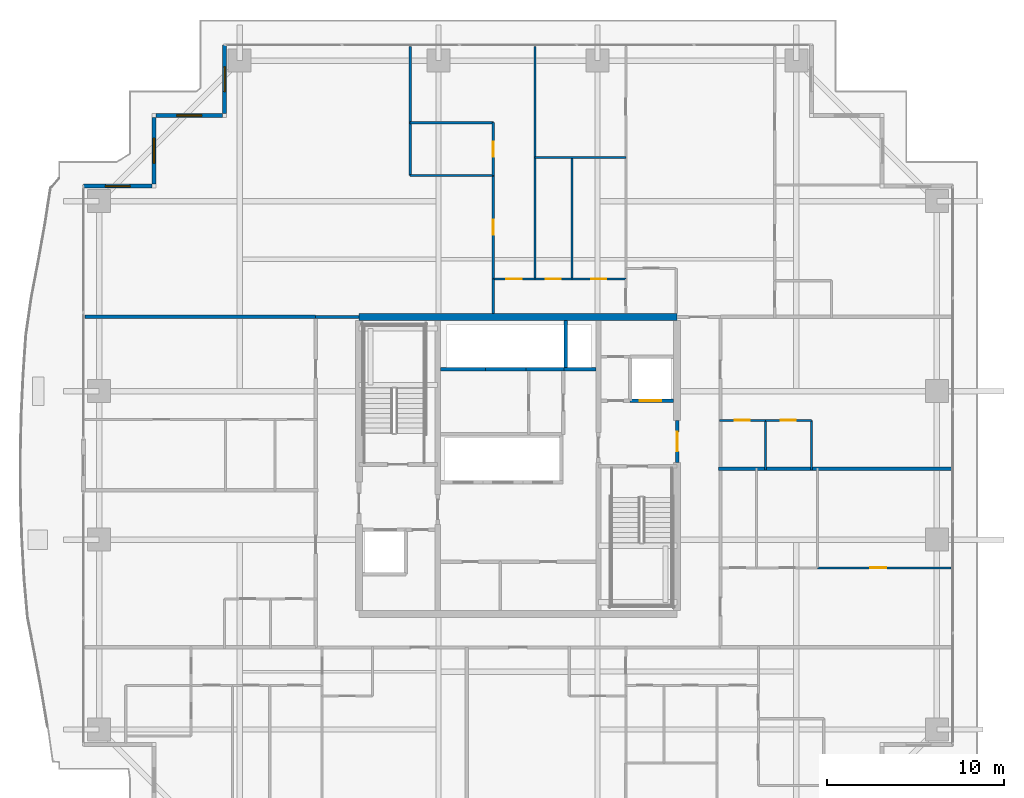
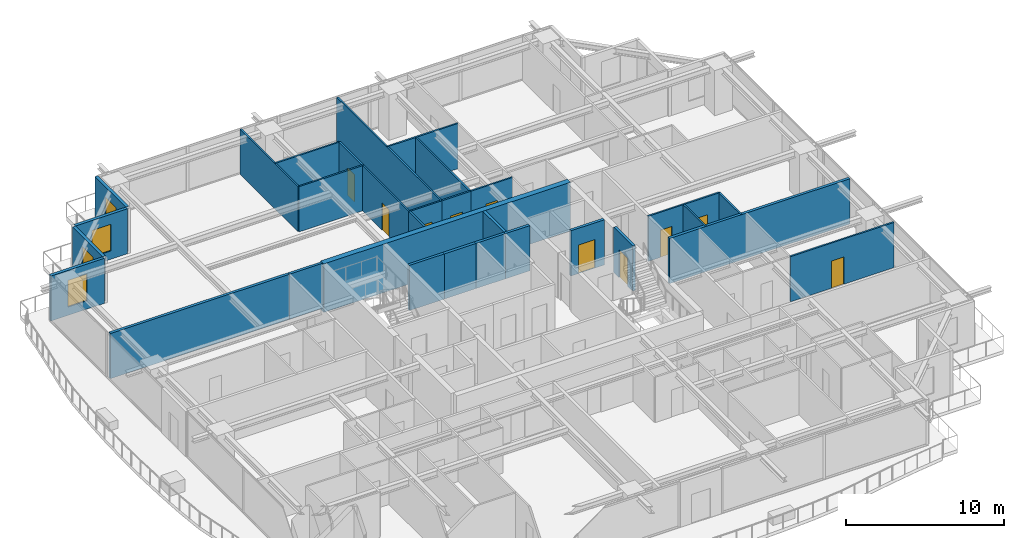
# One storey, part 27 of 34: 32 walls, 10 doors, 4 windows, 14 openings.
"""IFC4 building model written with IfcOpenShell, lengths in metres."""

from ifc_helpers import new_model, si_unit, direction, frame, frame_2d, origin, place, context, subcontext, project, spatial, rectangle, extrude, source, transform, mapped, material, layer, layer_set, type_object, element, fill, save


model = new_model("IFC4")

# Units and contexts
model_context = context("Model", 3, precision=1e-05, world=origin(), true_north=direction((0.0, 1.0)))
body_context = subcontext(model_context, "Body", "Model", "MODEL_VIEW")
ifc_project = project(units=[si_unit("LENGTHUNIT", "METRE"), si_unit("AREAUNIT", "SQUARE_METRE"), si_unit("VOLUMEUNIT", "CUBIC_METRE"), si_unit("PLANEANGLEUNIT", "RADIAN"), si_unit("MASSUNIT", "GRAM", prefix="KILO")], contexts=[model_context])

# Site, building, storey
site_placement = place(None, origin())
site = spatial("IfcSite", under=ifc_project, at=site_placement, CompositionType="ELEMENT")
building_placement = place(site_placement, origin())
building = spatial("IfcBuilding", under=site, at=building_placement, Name="Serunith Strait Residences", CompositionType="ELEMENT")
storey_placement = place(building_placement, frame((0.0, 0.0, 142.64990234375)))
storey = spatial("IfcBuildingStorey", under=building, at=storey_placement, Name="L35", CompositionType="ELEMENT", Elevation=142.64990234375)

# Wall, opening, window
ifc_material_1 = material(Name="Pale-Champagne Aluminium Insulated Panel", Category="aluminium")
ifc_layer_1 = layer(ifc_material_1, 0.219970703125, Name="Pale-Champagne Aluminium Insulated Panel")
ifc_layer_set_1 = layer_set([ifc_layer_1], Name="Pale-Champagne Aluminium Insulated Panel")
wall_type_1 = type_object("IfcWallType", Name="EW-ALUM-220", PredefinedType="ELEMENTEDWALL", material=ifc_layer_set_1)
wall_1_placement = place(storey_placement, frame((15.800048828125, 49.0, 0.0), z_axis=(0.0, 0.0, 1.0), x_axis=(0.0, -1.0, 0.0)))
wall_1 = element("IfcWall", 1, at=wall_1_placement, inside=storey, type_object=wall_type_1, Name="L35 Girih Serrated Corner Wall 12", PredefinedType="ELEMENTEDWALL", context=body_context, shape_type="SweptSolid", body=[
    extrude(rectangle(XDim=3.889892578125, YDim=0.219970703125, at=frame_2d((1.94482421875, 0.0))), origin(), (0.0, 0.0, 1.0), 3.47509765625),
])
opening_1_placement = place(wall_1_placement, frame((1.2451171875, 0.0, 0.64990234375)))
opening_1 = element("IfcOpeningElement", 2, at=opening_1_placement, cuts=wall_1, Name="Opening W-03", PredefinedType="OPENING", context=body_context, shape_type="SweptSolid", body=[
    extrude(rectangle(XDim=1.39990234375, YDim=2.050048828125, at=frame_2d((0.699951171875, 1.02490234375))), frame((0.0, 0.1201171875, 0.0), z_axis=(0.0, -1.0, 0.0), x_axis=(1.0, 0.0, 0.0)), (0.0, 0.0, 1.0), 0.239990234375),
])
ifc_material_2 = material(Name="Ceramic-Fritted Operable Aluminium Window Glass", Category="aluminium")
window_type = type_object("IfcWindowType", Name="WIN-C3", PartitioningType="SINGLE_PANEL", PredefinedType="WINDOW", material=ifc_material_2)
shared_shape_1 = source(origin(), body_context, "Body", "SweptSolid", [
    extrude(rectangle(XDim=1.39990234375, YDim=2.050048828125, at=frame_2d((0.699951171875, 1.02490234375))), frame((0.0, 0.030029296875, 0.0), z_axis=(0.0, -1.0, 0.0), x_axis=(1.0, 0.0, 0.0)), (0.0, 0.0, 1.0), 0.06005859375),
])
window_1_placement = place(opening_1_placement, origin())
window_1 = element("IfcWindow", 3, at=window_1_placement, inside=storey, type_object=window_type, Name="L35 Corner Operable Fritted Window 12", OverallHeight=2.050048828125, OverallWidth=1.39990234375, PartitioningType="SINGLE_PANEL", PredefinedType="WINDOW", context=body_context, shape_type="MappedRepresentation", body=[
    mapped(shared_shape_1, transform((0.0, 0.0, 0.0), scale=1.0)),
])
fill(opening_1, window_1)

wall_2_placement = place(storey_placement, frame((15.68994140625, 45.0, 0.0), z_axis=(0.0, 0.0, 1.0), x_axis=(-1.0, 0.0, 0.0)))
wall_2 = element("IfcWall", 4, at=wall_2_placement, inside=storey, type_object=wall_type_1, Name="L35 Girih Serrated Corner Wall 13", PredefinedType="ELEMENTEDWALL", context=body_context, shape_type="SweptSolid", body=[
    extrude(rectangle(XDim=3.780029296875, YDim=0.219970703125, at=frame_2d((1.89013671875, 0.0))), origin(), (0.0, 0.0, 1.0), 3.47509765625),
])
opening_2_placement = place(wall_2_placement, frame((1.18994140625, 0.0, 0.64990234375)))
opening_2 = element("IfcOpeningElement", 5, at=opening_2_placement, cuts=wall_2, Name="Opening W-03", PredefinedType="OPENING", context=body_context, shape_type="SweptSolid", body=[
    extrude(rectangle(XDim=1.39990234375, YDim=2.050048828125, at=frame_2d((0.699951171875, 1.02490234375))), frame((0.0, 0.1201171875, 0.0), z_axis=(0.0, -1.0, 0.0), x_axis=(1.0, 0.0, 0.0)), (0.0, 0.0, 1.0), 0.239990234375),
])
window_2_placement = place(opening_2_placement, origin())
window_2 = element("IfcWindow", 6, at=window_2_placement, inside=storey, type_object=window_type, Name="L35 Corner Operable Fritted Window 13", OverallHeight=2.050048828125, OverallWidth=1.39990234375, PartitioningType="SINGLE_PANEL", PredefinedType="WINDOW", context=body_context, shape_type="MappedRepresentation", body=[
    mapped(shared_shape_1, transform((0.0, 0.0, 0.0), scale=1.0)),
])
fill(opening_2, window_2)

wall_3_placement = place(storey_placement, frame((11.800048828125, 44.889892578125, 0.0), z_axis=(0.0, 0.0, 1.0), x_axis=(0.0, -1.0, 0.0)))
wall_3 = element("IfcWall", 7, at=wall_3_placement, inside=storey, type_object=wall_type_1, Name="L35 Girih Serrated Corner Wall 14", PredefinedType="ELEMENTEDWALL", context=body_context, shape_type="SweptSolid", body=[
    extrude(rectangle(XDim=3.77978515625, YDim=0.219970703125, at=frame_2d((1.889892578125, 0.0))), origin(), (0.0, 0.0, 1.0), 3.47509765625),
])
opening_3_placement = place(wall_3_placement, frame((1.18994140625, 0.0, 0.64990234375)))
opening_3 = element("IfcOpeningElement", 8, at=opening_3_placement, cuts=wall_3, Name="Opening W-03", PredefinedType="OPENING", context=body_context, shape_type="SweptSolid", body=[
    extrude(rectangle(XDim=1.39990234375, YDim=2.050048828125, at=frame_2d((0.699951171875, 1.02490234375))), frame((0.0, 0.1201171875, 0.0), z_axis=(0.0, -1.0, 0.0), x_axis=(1.0, 0.0, 0.0)), (0.0, 0.0, 1.0), 0.239990234375),
])
window_3_placement = place(opening_3_placement, origin())
window_3 = element("IfcWindow", 9, at=window_3_placement, inside=storey, type_object=window_type, Name="L35 Corner Operable Fritted Window 14", OverallHeight=2.050048828125, OverallWidth=1.39990234375, PartitioningType="SINGLE_PANEL", PredefinedType="WINDOW", context=body_context, shape_type="MappedRepresentation", body=[
    mapped(shared_shape_1, transform((0.0, 0.0, 0.0), scale=1.0)),
])
fill(opening_3, window_3)

wall_4_placement = place(storey_placement, frame((11.68994140625, 41.0, 0.0), z_axis=(0.0, 0.0, 1.0), x_axis=(-1.0, 0.0, 0.0)))
wall_4 = element("IfcWall", 10, at=wall_4_placement, inside=storey, type_object=wall_type_1, Name="L35 Girih Serrated Corner Wall 15", PredefinedType="ELEMENTEDWALL", context=body_context, shape_type="SweptSolid", body=[
    extrude(rectangle(XDim=3.889892578125, YDim=0.219970703125, at=frame_2d((1.94482421875, 0.0))), origin(), (0.0, 0.0, 1.0), 3.47509765625),
])
opening_4_placement = place(wall_4_placement, frame((1.2451171875, 0.0, 0.64990234375)))
opening_4 = element("IfcOpeningElement", 11, at=opening_4_placement, cuts=wall_4, Name="Opening W-03", PredefinedType="OPENING", context=body_context, shape_type="SweptSolid", body=[
    extrude(rectangle(XDim=1.39990234375, YDim=2.050048828125, at=frame_2d((0.699951171875, 1.02490234375))), frame((0.0, 0.1201171875, 0.0), z_axis=(0.0, -1.0, 0.0), x_axis=(1.0, 0.0, 0.0)), (0.0, 0.0, 1.0), 0.239990234375),
])
window_4_placement = place(opening_4_placement, origin())
window_4 = element("IfcWindow", 12, at=window_4_placement, inside=storey, type_object=window_type, Name="L35 Corner Operable Fritted Window 15", OverallHeight=2.050048828125, OverallWidth=1.39990234375, PartitioningType="SINGLE_PANEL", PredefinedType="WINDOW", context=body_context, shape_type="MappedRepresentation", body=[
    mapped(shared_shape_1, transform((0.0, 0.0, 0.0), scale=1.0)),
])
fill(opening_4, window_4)

# Walls
ifc_material_3 = material(Name="Fire-rated acoustic gypsum partition")
ifc_layer_2 = layer(ifc_material_3, 0.179931640625, Name="Fire-rated acoustic gypsum partition")
ifc_layer_set_2 = layer_set([ifc_layer_2], Name="Fire-rated acoustic gypsum partition")
wall_type_2 = type_object("IfcWallType", Name="IW-CORR-180", PredefinedType="PARTITIONING", material=ifc_layer_set_2)
wall_5_placement = place(storey_placement, frame((20.951904296875, 33.60009765625, 0.0), z_axis=(0.0, 0.0, 1.0), x_axis=(1.0, 0.0, 0.0)))
element("IfcWall", 13, at=wall_5_placement, inside=storey, type_object=wall_type_2, Name="L35 Partition Wall 028", PredefinedType="PARTITIONING", context=body_context, shape_type="SweptSolid", body=[
    extrude(rectangle(XDim=2.446044921875, YDim=0.179931640625, at=frame_2d((1.22314453125, 0.0))), origin(), (0.0, 0.0, 1.0), 3.489990234375),
])
ifc_material_4 = material(Name="Lightweight steel-stud gypsum partition", Category="steel")
ifc_layer_3 = layer(ifc_material_4, 0.1201171875, Name="Lightweight steel-stud gypsum partition")
ifc_layer_set_3 = layer_set([ifc_layer_3], Name="Lightweight steel-stud gypsum partition")
wall_type_3 = type_object("IfcWallType", Name="IW-PART-120", PredefinedType="PARTITIONING", material=ifc_layer_set_3)
wall_6_placement = place(storey_placement, frame((33.35009765625, 42.631103515625, 0.0), z_axis=(0.0, 0.0, 1.0), x_axis=(1.0, 0.0, 0.0)))
element("IfcWall", 14, at=wall_6_placement, inside=storey, type_object=wall_type_3, Name="L35 Partition Wall 068", PredefinedType="PARTITIONING", context=body_context, shape_type="SweptSolid", body=[
    extrude(rectangle(XDim=5.14990234375, YDim=0.1201171875, at=frame_2d((2.574951171875, 0.0))), origin(), (0.0, 0.0, 1.0), 3.489990234375),
])
wall_7_placement = place(storey_placement, frame((33.35009765625, 48.905029296875, 0.0), z_axis=(0.0, 0.0, 1.0), x_axis=(0.0, -1.0, 0.0)))
element("IfcWall", 15, at=wall_7_placement, inside=storey, type_object=wall_type_3, Name="L35 Partition Wall 069", PredefinedType="PARTITIONING", context=body_context, shape_type="SweptSolid", body=[
    extrude(rectangle(XDim=13.155029296875, YDim=0.1201171875, at=frame_2d((6.57763671875, 0.0))), origin(), (0.0, 0.0, 1.0), 3.489990234375),
])
wall_8_placement = place(storey_placement, frame((35.449951171875, 42.631103515625, 0.0), z_axis=(0.0, 0.0, 1.0), x_axis=(0.0, -1.0, 0.0)))
element("IfcWall", 16, at=wall_8_placement, inside=storey, type_object=wall_type_3, Name="L35 Partition Wall 070", PredefinedType="PARTITIONING", context=body_context, shape_type="SweptSolid", body=[
    extrude(rectangle(XDim=6.881103515625, YDim=0.1201171875, at=frame_2d((3.4404296875, 0.0))), origin(), (0.0, 0.0, 1.0), 3.489990234375),
])

# Wall, opening, door
wall_9_placement = place(storey_placement, frame((33.35009765625, 35.75, 0.0), z_axis=(0.0, 0.0, 1.0), x_axis=(1.0, 0.0, 0.0)))
wall_9 = element("IfcWall", 17, at=wall_9_placement, inside=storey, type_object=wall_type_3, Name="L35 Partition Wall 071", PredefinedType="PARTITIONING", context=body_context, shape_type="SweptSolid", body=[
    extrude(rectangle(XDim=2.099853515625, YDim=0.1201171875, at=frame_2d((1.0498046875, 0.0))), origin(), (0.0, 0.0, 1.0), 3.489990234375),
])
opening_5_placement = place(wall_9_placement, frame((0.625, 0.0, 0.0)))
opening_5 = element("IfcOpeningElement", 18, at=opening_5_placement, cuts=wall_9, Name="Opening D-BTH850", PredefinedType="OPENING", context=body_context, shape_type="SweptSolid", body=[
    extrude(rectangle(XDim=0.85009765625, YDim=2.10009765625, at=frame_2d((0.425048828125, 1.050048828125))), frame((0.0, 0.070068359375, 0.0), z_axis=(0.0, -1.0, 0.0), x_axis=(1.0, 0.0, 0.0)), (0.0, 0.0, 1.0), 0.14013671875),
])
ifc_material_5 = material(Name="Moisture-resistant timber bathroom door", Category="wood")
door_type_1 = type_object("IfcDoorType", Name="ID-BATH-850", OperationType="NOTDEFINED", PredefinedType="DOOR", material=ifc_material_5)
shared_shape_2 = source(origin(), body_context, "Body", "SweptSolid", [
    extrude(rectangle(XDim=0.85009765625, YDim=2.10009765625, at=frame_2d((0.425048828125, 1.050048828125))), frame((0.0, 0.02490234375, 0.0), z_axis=(0.0, -1.0, 0.0), x_axis=(1.0, 0.0, 0.0)), (0.0, 0.0, 1.0), 0.050048828125),
])
door_1_placement = place(opening_5_placement, origin())
door_1 = element("IfcDoor", 19, at=door_1_placement, inside=storey, type_object=door_type_1, Name="L35 Bathroom 3503 Door", OperationType="SINGLE_SWING_RIGHT", OverallHeight=2.10009765625, OverallWidth=0.85009765625, PredefinedType="DOOR", context=body_context, shape_type="MappedRepresentation", body=[
    mapped(shared_shape_2, transform((0.0, 0.0, 0.0), scale=1.0)),
])
fill(opening_5, door_1)

wall_10_placement = place(storey_placement, frame((35.451904296875, 35.75, 0.0), z_axis=(0.0, 0.0, 1.0), x_axis=(1.0, 0.0, 0.0)))
wall_10 = element("IfcWall", 20, at=wall_10_placement, inside=storey, type_object=wall_type_3, Name="L35 Partition Wall 072", PredefinedType="PARTITIONING", context=body_context, shape_type="SweptSolid", body=[
    extrude(rectangle(XDim=3.048095703125, YDim=0.1201171875, at=frame_2d((1.52392578125, 0.0))), origin(), (0.0, 0.0, 1.0), 3.489990234375),
])
opening_6_placement = place(wall_10_placement, frame((1.09912109375, 0.0, 0.0)))
opening_6 = element("IfcOpeningElement", 21, at=opening_6_placement, cuts=wall_10, Name="Opening D-RM850", PredefinedType="OPENING", context=body_context, shape_type="SweptSolid", body=[
    extrude(rectangle(XDim=0.85009765625, YDim=2.10009765625, at=frame_2d((0.425048828125, 1.050048828125))), frame((0.0, 0.070068359375, 0.0), z_axis=(0.0, -1.0, 0.0), x_axis=(1.0, 0.0, 0.0)), (0.0, 0.0, 1.0), 0.14013671875),
])
ifc_material_6 = material(Name="Engineered timber flush study and kitchen door", Category="wood")
door_type_2 = type_object("IfcDoorType", Name="ID-ROOM-850", OperationType="NOTDEFINED", PredefinedType="DOOR", material=ifc_material_6)
door_2_placement = place(opening_6_placement, origin())
door_2 = element("IfcDoor", 22, at=door_2_placement, inside=storey, type_object=door_type_2, Name="L35 Formal Dining Room 3503 Door", OperationType="SINGLE_SWING_LEFT", OverallHeight=2.10009765625, OverallWidth=0.85009765625, PredefinedType="DOOR", context=body_context, shape_type="MappedRepresentation", body=[
    mapped(shared_shape_2, transform((0.0, 0.0, 0.0), scale=1.0)),
])
fill(opening_6, door_2)

wall_11_placement = place(storey_placement, frame((31.0, 35.75, 0.0), z_axis=(0.0, 0.0, 1.0), x_axis=(1.0, 0.0, 0.0)))
wall_11 = element("IfcWall", 23, at=wall_11_placement, inside=storey, type_object=wall_type_3, Name="L35 Partition Wall 073", PredefinedType="PARTITIONING", context=body_context, shape_type="SweptSolid", body=[
    extrude(rectangle(XDim=2.347900390625, YDim=0.1201171875, at=frame_2d((1.173828125, 0.0))), origin(), (0.0, 0.0, 1.0), 3.489990234375),
])
opening_7_placement = place(wall_11_placement, frame((0.72412109375, 0.0, 0.0)))
opening_7 = element("IfcOpeningElement", 24, at=opening_7_placement, cuts=wall_11, Name="Opening D-RM900", PredefinedType="OPENING", context=body_context, shape_type="SweptSolid", body=[
    extrude(rectangle(XDim=0.89990234375, YDim=2.10009765625, at=frame_2d((0.449951171875, 1.050048828125))), frame((0.0, 0.070068359375, 0.0), z_axis=(0.0, -1.0, 0.0), x_axis=(1.0, 0.0, 0.0)), (0.0, 0.0, 1.0), 0.14013671875),
])
ifc_material_7 = material(Name="Engineered timber flush bedroom door", Category="wood")
door_type_3 = type_object("IfcDoorType", Name="ID-ROOM-900", OperationType="NOTDEFINED", PredefinedType="DOOR", material=ifc_material_7)
shared_shape_3 = source(origin(), body_context, "Body", "SweptSolid", [
    extrude(rectangle(XDim=0.89990234375, YDim=2.10009765625, at=frame_2d((0.449951171875, 1.050048828125))), frame((0.0, 0.02490234375, 0.0), z_axis=(0.0, -1.0, 0.0), x_axis=(1.0, 0.0, 0.0)), (0.0, 0.0, 1.0), 0.050048828125),
])
door_3_placement = place(opening_7_placement, origin())
door_3 = element("IfcDoor", 25, at=door_3_placement, inside=storey, type_object=door_type_3, Name="L35 Master Bedroom W 3503 Door", OperationType="SINGLE_SWING_RIGHT", OverallHeight=2.10009765625, OverallWidth=0.89990234375, PredefinedType="DOOR", context=body_context, shape_type="MappedRepresentation", body=[
    mapped(shared_shape_3, transform((0.0, 0.0, 0.0), scale=1.0)),
])
fill(opening_7, door_3)

# Walls
wall_12_placement = place(storey_placement, frame((26.300048828125, 44.592041015625, 0.0), z_axis=(0.0, 0.0, 1.0), x_axis=(1.0, 0.0, 0.0)))
element("IfcWall", 26, at=wall_12_placement, inside=storey, type_object=wall_type_3, Name="L35 Partition Wall 074", PredefinedType="PARTITIONING", context=body_context, shape_type="SweptSolid", body=[
    extrude(rectangle(XDim=4.699951171875, YDim=0.1201171875, at=frame_2d((2.35009765625, 0.0))), origin(), (0.0, 0.0, 1.0), 3.489990234375),
])
wall_13_placement = place(storey_placement, frame((26.300048828125, 48.905029296875, 0.0), z_axis=(0.0, 0.0, 1.0), x_axis=(0.0, -1.0, 0.0)))
element("IfcWall", 27, at=wall_13_placement, inside=storey, type_object=wall_type_3, Name="L35 Partition Wall 075", PredefinedType="PARTITIONING", context=body_context, shape_type="SweptSolid", body=[
    extrude(rectangle(XDim=7.2919921875, YDim=0.1201171875, at=frame_2d((3.64599609375, 0.0))), origin(), (0.0, 0.0, 1.0), 3.489990234375),
])
wall_14_placement = place(storey_placement, frame((26.300048828125, 41.613037109375, 0.0), z_axis=(0.0, 0.0, 1.0), x_axis=(1.0, 0.0, 0.0)))
element("IfcWall", 28, at=wall_14_placement, inside=storey, type_object=wall_type_3, Name="L35 Partition Wall 076", PredefinedType="PARTITIONING", context=body_context, shape_type="SweptSolid", body=[
    extrude(rectangle(XDim=4.699951171875, YDim=0.1201171875, at=frame_2d((2.35009765625, 0.0))), origin(), (0.0, 0.0, 1.0), 3.489990234375),
])

# Wall, opening, door
wall_15_placement = place(storey_placement, frame((31.0, 44.592041015625, 0.0), z_axis=(0.0, 0.0, 1.0), x_axis=(0.0, -1.0, 0.0)))
wall_15 = element("IfcWall", 29, at=wall_15_placement, inside=storey, type_object=wall_type_3, Name="L35 Partition Wall 077", PredefinedType="PARTITIONING", context=body_context, shape_type="SweptSolid", body=[
    extrude(rectangle(XDim=2.97900390625, YDim=0.1201171875, at=frame_2d((1.489501953125, 0.0))), origin(), (0.0, 0.0, 1.0), 3.489990234375),
])
opening_8_placement = place(wall_15_placement, frame((1.06396484375, 0.0, 0.0)))
opening_8 = element("IfcOpeningElement", 30, at=opening_8_placement, cuts=wall_15, Name="Opening D-BTH850", PredefinedType="OPENING", context=body_context, shape_type="SweptSolid", body=[
    extrude(rectangle(XDim=0.85009765625, YDim=2.10009765625, at=frame_2d((0.425048828125, 1.050048828125))), frame((0.0, 0.070068359375, 0.0), z_axis=(0.0, -1.0, 0.0), x_axis=(1.0, 0.0, 0.0)), (0.0, 0.0, 1.0), 0.14013671875),
])
door_4_placement = place(opening_8_placement, origin())
door_4 = element("IfcDoor", 31, at=door_4_placement, inside=storey, type_object=door_type_1, Name="L35 En-suite Bathroom W 3503 Door", OperationType="SINGLE_SWING_LEFT", OverallHeight=2.10009765625, OverallWidth=0.85009765625, PredefinedType="DOOR", context=body_context, shape_type="MappedRepresentation", body=[
    mapped(shared_shape_2, transform((0.0, 0.0, 0.0), scale=1.0)),
])
fill(opening_8, door_4)

wall_16_placement = place(storey_placement, frame((31.0, 41.611083984375, 0.0), z_axis=(0.0, 0.0, 1.0), x_axis=(0.0, -1.0, 0.0)))
wall_16 = element("IfcWall", 32, at=wall_16_placement, inside=storey, type_object=wall_type_3, Name="L35 Partition Wall 078", PredefinedType="PARTITIONING", context=body_context, shape_type="SweptSolid", body=[
    extrude(rectangle(XDim=5.861083984375, YDim=0.1201171875, at=frame_2d((2.9306640625, 0.0))), origin(), (0.0, 0.0, 1.0), 3.489990234375),
])
opening_9_placement = place(wall_16_placement, frame((2.5048828125, 0.0, 0.0)))
opening_9 = element("IfcOpeningElement", 33, at=opening_9_placement, cuts=wall_16, Name="Opening D-RM850", PredefinedType="OPENING", context=body_context, shape_type="SweptSolid", body=[
    extrude(rectangle(XDim=0.85009765625, YDim=2.10009765625, at=frame_2d((0.425048828125, 1.050048828125))), frame((0.0, 0.070068359375, 0.0), z_axis=(0.0, -1.0, 0.0), x_axis=(1.0, 0.0, 0.0)), (0.0, 0.0, 1.0), 0.14013671875),
])
door_5_placement = place(opening_9_placement, origin())
door_5 = element("IfcDoor", 34, at=door_5_placement, inside=storey, type_object=door_type_2, Name="L35 Wardrobe W 3503 Door", OperationType="SINGLE_SWING_RIGHT", OverallHeight=2.10009765625, OverallWidth=0.85009765625, PredefinedType="DOOR", context=body_context, shape_type="MappedRepresentation", body=[
    mapped(shared_shape_2, transform((0.0, 0.0, 0.0), scale=1.0)),
])
fill(opening_9, door_5)

# Wall
wall_17_placement = place(storey_placement, frame((31.0, 35.748046875, 0.0), z_axis=(0.0, 0.0, 1.0), x_axis=(0.0, -1.0, 0.0)))
element("IfcWall", 35, at=wall_17_placement, inside=storey, type_object=wall_type_3, Name="L35 Partition Wall 079", PredefinedType="PARTITIONING", context=body_context, shape_type="SweptSolid", body=[
    extrude(rectangle(XDim=1.947998046875, YDim=0.1201171875, at=frame_2d((0.97412109375, 0.0))), origin(), (0.0, 0.0, 1.0), 3.489990234375),
])

# Wall, opening, door
wall_18_placement = place(storey_placement, frame((56.905029296875, 19.39990234375, 0.0), z_axis=(0.0, 0.0, 1.0), x_axis=(-1.0, 0.0, 0.0)))
wall_18 = element("IfcWall", 36, at=wall_18_placement, inside=storey, type_object=wall_type_3, Name="L35 Partition Wall 095", PredefinedType="PARTITIONING", context=body_context, shape_type="SweptSolid", body=[
    extrude(rectangle(XDim=7.55908203125, YDim=0.1201171875, at=frame_2d((3.779541015625, 0.0))), origin(), (0.0, 0.0, 1.0), 3.489990234375),
])
opening_10_placement = place(wall_18_placement, frame((3.662109375, 0.0, 0.0)))
opening_10 = element("IfcOpeningElement", 37, at=opening_10_placement, cuts=wall_18, Name="Opening D-RM900", PredefinedType="OPENING", context=body_context, shape_type="SweptSolid", body=[
    extrude(rectangle(XDim=0.89990234375, YDim=2.10009765625, at=frame_2d((0.449951171875, 1.050048828125))), frame((0.0, 0.070068359375, 0.0), z_axis=(0.0, -1.0, 0.0), x_axis=(1.0, 0.0, 0.0)), (0.0, 0.0, 1.0), 0.14013671875),
])
door_6_placement = place(opening_10_placement, origin())
door_6 = element("IfcDoor", 38, at=door_6_placement, inside=storey, type_object=door_type_3, Name="L35 Master Bedroom 1 3506 Door", OperationType="SINGLE_SWING_LEFT", OverallHeight=2.10009765625, OverallWidth=0.89990234375, PredefinedType="DOOR", context=body_context, shape_type="MappedRepresentation", body=[
    mapped(shared_shape_3, transform((0.0, 0.0, 0.0), scale=1.0)),
])
fill(opening_10, door_6)

wall_19_placement = place(storey_placement, frame((49.0, 27.75, 0.0), z_axis=(0.0, 0.0, 1.0), x_axis=(-1.0, 0.0, 0.0)))
wall_19 = element("IfcWall", 39, at=wall_19_placement, inside=storey, type_object=wall_type_3, Name="L35 Partition Wall 100", PredefinedType="PARTITIONING", context=body_context, shape_type="SweptSolid", body=[
    extrude(rectangle(XDim=2.60009765625, YDim=0.1201171875, at=frame_2d((1.300048828125, 0.0))), origin(), (0.0, 0.0, 1.0), 3.489990234375),
])
opening_11_placement = place(wall_19_placement, frame((0.875, 0.0, 0.0)))
opening_11 = element("IfcOpeningElement", 40, at=opening_11_placement, cuts=wall_19, Name="Opening D-RM850", PredefinedType="OPENING", context=body_context, shape_type="SweptSolid", body=[
    extrude(rectangle(XDim=0.85009765625, YDim=2.10009765625, at=frame_2d((0.425048828125, 1.050048828125))), frame((0.0, 0.070068359375, 0.0), z_axis=(0.0, -1.0, 0.0), x_axis=(1.0, 0.0, 0.0)), (0.0, 0.0, 1.0), 0.14013671875),
])
door_7_placement = place(opening_11_placement, origin())
door_7 = element("IfcDoor", 41, at=door_7_placement, inside=storey, type_object=door_type_2, Name="L35 Kitchen 3507 Door", OperationType="SINGLE_SWING_RIGHT", OverallHeight=2.10009765625, OverallWidth=0.85009765625, PredefinedType="DOOR", context=body_context, shape_type="MappedRepresentation", body=[
    mapped(shared_shape_2, transform((0.0, 0.0, 0.0), scale=1.0)),
])
fill(opening_11, door_7)

wall_20_placement = place(storey_placement, frame((46.39794921875, 27.75, 0.0), z_axis=(0.0, 0.0, 1.0), x_axis=(-1.0, 0.0, 0.0)))
wall_20 = element("IfcWall", 42, at=wall_20_placement, inside=storey, type_object=wall_type_3, Name="L35 Partition Wall 101", PredefinedType="PARTITIONING", context=body_context, shape_type="SweptSolid", body=[
    extrude(rectangle(XDim=2.60791015625, YDim=0.1201171875, at=frame_2d((1.303955078125, 0.0))), origin(), (0.0, 0.0, 1.0), 3.489990234375),
])
opening_12_placement = place(wall_20_placement, frame((0.87890625, 0.0, 0.0)))
opening_12 = element("IfcOpeningElement", 43, at=opening_12_placement, cuts=wall_20, Name="Opening D-BTH850", PredefinedType="OPENING", context=body_context, shape_type="SweptSolid", body=[
    extrude(rectangle(XDim=0.85009765625, YDim=2.10009765625, at=frame_2d((0.425048828125, 1.050048828125))), frame((0.0, 0.070068359375, 0.0), z_axis=(0.0, -1.0, 0.0), x_axis=(1.0, 0.0, 0.0)), (0.0, 0.0, 1.0), 0.14013671875),
])
door_8_placement = place(opening_12_placement, origin())
door_8 = element("IfcDoor", 44, at=door_8_placement, inside=storey, type_object=door_type_1, Name="L35 Bathroom 3507 Door", OperationType="SINGLE_SWING_LEFT", OverallHeight=2.10009765625, OverallWidth=0.85009765625, PredefinedType="DOOR", context=body_context, shape_type="MappedRepresentation", body=[
    mapped(shared_shape_2, transform((0.0, 0.0, 0.0), scale=1.0)),
])
fill(opening_12, door_8)

# Walls
for number, where, z_axis, x_axis, name in (
    (45, (46.39990234375, 24.93994140625, 0.0), (0.0, 0.0, 1.0), (0.0, 1.0, 0.0), "L35 Partition Wall 102"),
    (46, (49.0, 24.93994140625, 0.0), (0.0, 0.0, 1.0), (0.0, 1.0, 0.0), "L35 Partition Wall 103"),
):
    element("IfcWall", number, at=place(storey_placement, frame(where, z_axis=z_axis, x_axis=x_axis)), inside=storey, type_object=wall_type_3, Name=name, PredefinedType="PARTITIONING", context=body_context, shape_type="SweptSolid", body=[
        extrude(rectangle(XDim=2.81005859375, YDim=0.1201171875, at=frame_2d((1.405029296875, 0.0))), origin(), (0.0, 0.0, 1.0), 3.489990234375),
    ])
ifc_material_8 = material(Name="Twin-stud acoustic gypsum board partition")
ifc_layer_4 = layer(ifc_material_8, 0.199951171875, Name="Twin-stud acoustic gypsum board partition")
ifc_layer_set_4 = layer_set([ifc_layer_4], Name="Twin-stud acoustic gypsum board partition")
wall_type_4 = type_object("IfcWallType", Name="IW-PARTY-200", PredefinedType="PARTITIONING", material=ifc_layer_set_4)
wall_21_placement = place(storey_placement, frame((43.72998046875, 25.0, 0.0), z_axis=(0.0, 0.0, 1.0), x_axis=(1.0, 0.0, 0.0)))
element("IfcWall", 47, at=wall_21_placement, inside=storey, type_object=wall_type_4, Name="L35 Partition Wall 020", PredefinedType="PARTITIONING", context=body_context, shape_type="SweptSolid", body=[
    extrude(rectangle(XDim=13.18798828125, YDim=0.199951171875, at=frame_2d((6.593994140625, 0.0))), origin(), (0.0, 0.0, 1.0), 3.489990234375),
])
wall_22_placement = place(storey_placement, frame((7.882080078125, 33.60009765625, 0.0), z_axis=(0.0, 0.0, 1.0), x_axis=(1.0, 0.0, 0.0)))
element("IfcWall", 48, at=wall_22_placement, inside=storey, type_object=wall_type_4, Name="L35 Partition Wall 023", PredefinedType="PARTITIONING", context=body_context, shape_type="SweptSolid", body=[
    extrude(rectangle(XDim=13.06787109375, YDim=0.199951171875, at=frame_2d((6.533935546875, 0.0))), origin(), (0.0, 0.0, 1.0), 3.489990234375),
])

# Wall, opening, door
ifc_material_9 = material(Name="Autoclaved aerated concrete blockwork", Category="masonry")
ifc_layer_5 = layer(ifc_material_9, 0.199951171875, Name="Autoclaved aerated concrete blockwork")
ifc_layer_set_5 = layer_set([ifc_layer_5], Name="Autoclaved aerated concrete blockwork")
wall_type_5 = type_object("IfcWallType", Name="IW-SHAFT-200", PredefinedType="STANDARD", material=ifc_layer_set_5)
wall_23_placement = place(storey_placement, frame((38.75, 28.85009765625, 0.0), z_axis=(0.0, 0.0, 1.0), x_axis=(1.0, 0.0, 0.0)))
wall_23 = element("IfcWall", 49, at=wall_23_placement, inside=storey, type_object=wall_type_5, Name="L35 FL-2 South Shaft Wall", PredefinedType="STANDARD", context=body_context, shape_type="SweptSolid", body=[
    extrude(rectangle(XDim=2.449951171875, YDim=0.199951171875, at=frame_2d((1.22509765625, 0.0))), origin(), (0.0, 0.0, 1.0), 3.489990234375),
])
opening_13_placement = place(wall_23_placement, frame((0.550048828125, 0.0, 0.0)))
opening_13 = element("IfcOpeningElement", 50, at=opening_13_placement, cuts=wall_23, Name="Opening LD-FF1200", PredefinedType="OPENING", context=body_context, shape_type="SweptSolid", body=[
    extrude(rectangle(XDim=1.199951171875, YDim=2.199951171875, at=frame_2d((0.60009765625, 1.10009765625))), frame((0.0, 0.10986328125, 0.0), z_axis=(0.0, -1.0, 0.0), x_axis=(1.0, 0.0, 0.0)), (0.0, 0.0, 1.0), 0.219970703125),
])
ifc_material_10 = material(Name="Brushed stainless steel landing door", Category="steel")
door_type_4 = type_object("IfcDoorType", Name="LD-FF-1200", OperationType="DOUBLE_DOOR_SLIDING", PredefinedType="DOOR", material=ifc_material_10)
shared_shape_4 = source(origin(), body_context, "Body", "SweptSolid", [
    extrude(rectangle(XDim=1.199951171875, YDim=2.199951171875, at=frame_2d((0.60009765625, 1.10009765625))), frame((0.0, 0.02490234375, 0.0), z_axis=(0.0, -1.0, 0.0), x_axis=(1.0, 0.0, 0.0)), (0.0, 0.0, 1.0), 0.050048828125),
])
door_9_placement = place(opening_13_placement, origin())
door_9 = element("IfcDoor", 51, at=door_9_placement, inside=storey, type_object=door_type_4, Name="L35 FL-2 Landing Door", OperationType="DOUBLE_DOOR_SLIDING", OverallHeight=2.199951171875, OverallWidth=1.199951171875, PredefinedType="DOOR", context=body_context, shape_type="MappedRepresentation", body=[
    mapped(shared_shape_4, transform((0.0, 0.0, 0.0), scale=1.0)),
])
fill(opening_13, door_9)

# Walls
wall_24_placement = place(storey_placement, frame((28.0, 30.64990234375, 0.0), z_axis=(0.0, 0.0, 1.0), x_axis=(1.0, 0.0, 0.0)))
element("IfcWall", 52, at=wall_24_placement, inside=storey, type_object=wall_type_5, Name="L35 PL-7 South Shaft Wall", PredefinedType="STANDARD", context=body_context, shape_type="SweptSolid", body=[
    extrude(rectangle(XDim=2.550048828125, YDim=0.199951171875, at=frame_2d((1.27490234375, 0.0))), origin(), (0.0, 0.0, 1.0), 3.489990234375),
])
wall_25_placement = place(storey_placement, frame((30.550048828125, 30.64990234375, 0.0), z_axis=(0.0, 0.0, 1.0), x_axis=(1.0, 0.0, 0.0)))
element("IfcWall", 53, at=wall_25_placement, inside=storey, type_object=wall_type_5, Name="L35 PL-8 South Shaft Wall", PredefinedType="STANDARD", context=body_context, shape_type="SweptSolid", body=[
    extrude(rectangle(XDim=2.300048828125, YDim=0.199951171875, at=frame_2d((1.14990234375, 0.0))), origin(), (0.0, 0.0, 1.0), 3.489990234375),
])
wall_26_placement = place(storey_placement, frame((32.85009765625, 30.64990234375, 0.0), z_axis=(0.0, 0.0, 1.0), x_axis=(1.0, 0.0, 0.0)))
element("IfcWall", 54, at=wall_26_placement, inside=storey, type_object=wall_type_5, Name="L35 PL-9 South Shaft Wall", PredefinedType="STANDARD", context=body_context, shape_type="SweptSolid", body=[
    extrude(rectangle(XDim=2.14990234375, YDim=0.199951171875, at=frame_2d((1.074951171875, 0.0))), origin(), (0.0, 0.0, 1.0), 3.489990234375),
])
wall_27_placement = place(storey_placement, frame((35.0, 30.64990234375, 0.0), z_axis=(0.0, 0.0, 1.0), x_axis=(1.0, 0.0, 0.0)))
element("IfcWall", 55, at=wall_27_placement, inside=storey, type_object=wall_type_5, Name="L35 SL-1 South Shaft Wall", PredefinedType="STANDARD", context=body_context, shape_type="SweptSolid", body=[
    extrude(rectangle(XDim=1.800048828125, YDim=0.199951171875, at=frame_2d((0.89990234375, 0.0))), origin(), (0.0, 0.0, 1.0), 3.489990234375),
])
wall_28_placement = place(storey_placement, frame((35.10009765625, 30.75, 0.0), z_axis=(0.0, 0.0, 1.0), x_axis=(0.0, 1.0, 0.0)))
element("IfcWall", 56, at=wall_28_placement, inside=storey, type_object=wall_type_5, Name="L35 SL-1 West Shaft Wall", PredefinedType="STANDARD", context=body_context, shape_type="SweptSolid", body=[
    extrude(rectangle(XDim=2.64990234375, YDim=0.199951171875, at=frame_2d((1.324951171875, 0.0))), origin(), (0.0, 0.0, 1.0), 3.489990234375),
])

# Wall, opening, door
wall_29_placement = place(storey_placement, frame((41.39990234375, 25.35205078125, 0.0), z_axis=(0.0, 0.0, 1.0), x_axis=(0.0, 1.0, 0.0)))
wall_29 = element("IfcWall", 57, at=wall_29_placement, inside=storey, type_object=wall_type_5, Name="L35 Partition Wall 008", PredefinedType="STANDARD", context=body_context, shape_type="SweptSolid", body=[
    extrude(rectangle(XDim=2.39599609375, YDim=0.199951171875, at=frame_2d((1.197998046875, 0.0))), origin(), (0.0, 0.0, 1.0), 3.489990234375),
])
opening_14_placement = place(wall_29_placement, frame((0.64794921875, 0.0, 0.0)))
opening_14 = element("IfcOpeningElement", 58, at=opening_14_placement, cuts=wall_29, Name="Opening FD-FFL", PredefinedType="OPENING", context=body_context, shape_type="SweptSolid", body=[
    extrude(rectangle(XDim=1.10009765625, YDim=2.14990234375, at=frame_2d((0.550048828125, 1.074951171875))), frame((0.0, 0.10986328125, 0.0), z_axis=(0.0, -1.0, 0.0), x_axis=(1.0, 0.0, 0.0)), (0.0, 0.0, 1.0), 0.219970703125),
])
ifc_material_11 = material(Name="Glazed steel smoke-lobby fire door", Category="steel")
door_type_5 = type_object("IfcDoorType", Name="FD-FFL-1100", OperationType="NOTDEFINED", PredefinedType="DOOR", material=ifc_material_11)
shared_shape_5 = source(origin(), body_context, "Body", "SweptSolid", [
    extrude(rectangle(XDim=1.10009765625, YDim=2.14990234375, at=frame_2d((0.550048828125, 1.074951171875))), frame((0.0, 0.02490234375, 0.0), z_axis=(0.0, -1.0, 0.0), x_axis=(1.0, 0.0, 0.0)), (0.0, 0.0, 1.0), 0.050048828125),
])
door_10_placement = place(opening_14_placement, origin())
door_10 = element("IfcDoor", 59, at=door_10_placement, inside=storey, type_object=door_type_5, Name="L35 FFL-2 Corridor Fire Door", OperationType="SINGLE_SWING_RIGHT", OverallHeight=2.14990234375, OverallWidth=1.10009765625, PredefinedType="DOOR", context=body_context, shape_type="MappedRepresentation", body=[
    mapped(shared_shape_5, transform((0.0, 0.0, 0.0), scale=1.0)),
])
fill(opening_14, door_10)

# Wall
ifc_material_12 = material(Name="Concrete C70/85", Category="concrete")
ifc_layer_6 = layer(ifc_material_12, 0.39990234375, Name="Concrete C70/85")
ifc_layer_set_6 = layer_set([ifc_layer_6], Name="Concrete C70/85")
wall_type_6 = type_object("IfcWallType", Name="SW-400-C70", PredefinedType="SHEAR", material=ifc_layer_set_6)
wall_30_placement = place(storey_placement, frame((41.39990234375, 33.60009765625, -0.260009765625), z_axis=(0.0, 0.0, 1.0), x_axis=(-1.0, 0.0, 0.0)))
element("IfcWall", 60, at=wall_30_placement, inside=storey, type_object=wall_type_6, Name="L35 Core North Shear Wall", PredefinedType="SHEAR", context=body_context, shape_type="SweptSolid", body=[
    extrude(rectangle(XDim=18.0, YDim=0.39990234375, at=frame_2d((9.0, 0.0))), origin(), (0.0, 0.0, 1.0), 3.748046875),
])

save(model, "model.ifc")
